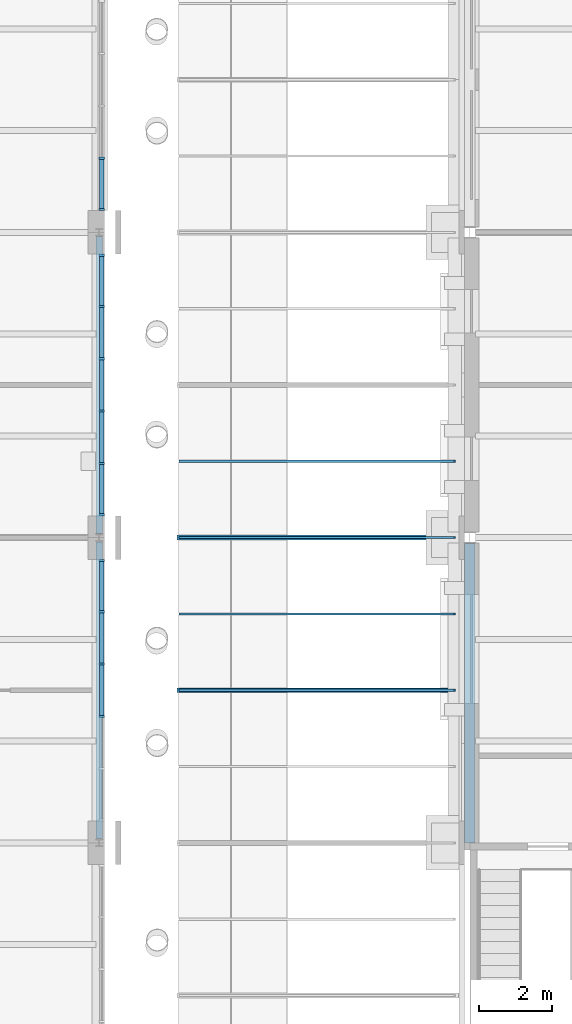
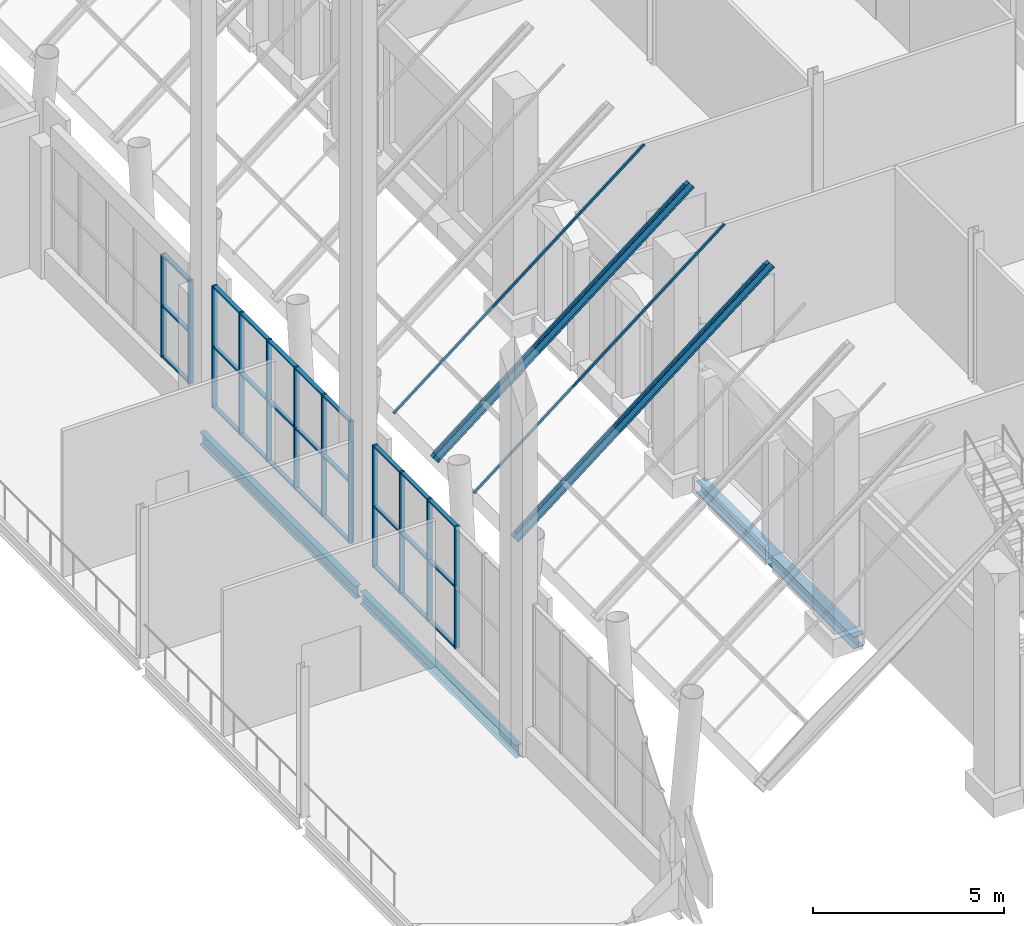
# One storey, part 29 of 76: 45 members, 3 beams, 3 elements without a shape of their own.
"""IFC4 building model written with IfcOpenShell, lengths in metres."""

from ifc_helpers import new_model, si_unit, direction, frame, origin, origin_2d, place, context, subcontext, project, spatial, rectangle, i_section, extrude, material, material_profile, profile_set, type_object, element, aggregate, save


model = new_model("IFC4")

# Units and contexts
model_context = context("Model", 3, precision=1e-05, world=origin(), true_north=direction((0.0, 1.0)))
body_context = subcontext(model_context, "Body", "Model", "MODEL_VIEW")
ifc_project = project(units=[si_unit("LENGTHUNIT", "METRE"), si_unit("AREAUNIT", "SQUARE_METRE"), si_unit("VOLUMEUNIT", "CUBIC_METRE"), si_unit("PLANEANGLEUNIT", "RADIAN"), si_unit("MASSUNIT", "GRAM", prefix="KILO")], contexts=[model_context])

# Site, building, storey
site_placement = place(None, origin())
site = spatial("IfcSite", under=ifc_project, at=site_placement, CompositionType="ELEMENT")
building_placement = place(site_placement, origin())
building = spatial("IfcBuilding", under=site, at=building_placement, Name="Sava Quay Ferry Terminal", CompositionType="ELEMENT")
storey_placement = place(building_placement, frame((0.0, 0.0, 6.0)))
storey = spatial("IfcBuildingStorey", under=building, at=storey_placement, Name="L01", CompositionType="ELEMENT", Elevation=6.0)

# Beams
ifc_material_1 = material(Name="Steel S355", Category="steel")
ifc_material_profile_1 = material_profile(ifc_material_1, i_section(OverallWidth=0.179931640625, OverallDepth=0.39990234375, WebThickness=0.008544921875, FlangeThickness=0.013427734375, at=origin_2d()), Name="IPE 400")
ifc_profile_set_1 = profile_set([ifc_material_profile_1], Name="Steel S355")
beam_type_1 = type_object("IfcBeamType", Name="Beam IPE 400", PredefinedType="BEAM", material=ifc_profile_set_1)
for number, where, z_axis, x_axis, name in (
    (1, (82.199951171875, 67.320068359375, -0.330078125), (0.0, 1.0, 0.0), (-1.0, 0.0, 0.0), "Girder L01"),
    (2, (82.199951171875, 75.719970703125, -0.330078125), (0.0, 1.0, 0.0), (-1.0, 0.0, 0.0), "Girder L01"),
):
    element("IfcBeam", number, at=place(storey_placement, frame(where, z_axis=z_axis, x_axis=x_axis)), inside=storey, type_object=beam_type_1, Name=name, PredefinedType="BEAM", context=body_context, shape_type="SweptSolid", body=[
        extrude(i_section(OverallWidth=0.179931640625, OverallDepth=0.39990234375, WebThickness=0.008544921875, FlangeThickness=0.013427734375, at=origin_2d()), origin(), (0.0, 0.0, 1.0), 8.159912109375),
    ])
ifc_material_2 = material(Name="Steel S355", Category="steel")
ifc_material_profile_2 = material_profile(ifc_material_2, i_section(OverallWidth=0.300048828125, OverallDepth=0.389892578125, WebThickness=0.010986328125, FlangeThickness=0.01904296875, at=origin_2d()), Name="HE 400 A")
ifc_profile_set_2 = profile_set([ifc_material_profile_2], Name="Steel S355")
beam_type_2 = type_object("IfcBeamType", Name="Girder HE 400 A", PredefinedType="BEAM", material=ifc_profile_set_2)
beam_placement = place(storey_placement, frame((92.39990234375, 67.199951171875, -0.324951171875), z_axis=(0.0, 1.0, 0.0), x_axis=(-1.0, 0.0, 0.0)))
element("IfcBeam", 3, at=beam_placement, inside=storey, type_object=beam_type_2, Name="Girder L01", PredefinedType="BEAM", context=body_context, shape_type="SweptSolid", body=[
    extrude(i_section(OverallWidth=0.300048828125, OverallDepth=0.389892578125, WebThickness=0.010986328125, FlangeThickness=0.01904296875, at=origin_2d()), origin(), (0.0, 0.0, 1.0), 8.239990234375),
])

# Members
ifc_material_3 = material(Name="Aluminium EN AW-6063 T6", Category="aluminium")
ifc_material_profile_3 = material_profile(ifc_material_3, rectangle(XDim=0.06005859375, YDim=0.06005859375, at=origin_2d()), Name="Bar 60 x 60")
ifc_profile_set_3 = profile_set([ifc_material_profile_3], Name="Aluminium EN AW-6063 T6")
member_type_1 = type_object("IfcMemberType", Name="Glazing bar 60x60", PredefinedType="USERDEFINED", material=ifc_profile_set_3)
for number, where, z_axis, x_axis, name in (
    (4, (84.413330078125, 77.699951171875, 3.39697265625), (0.78632361853, 0.0, 0.617814832245), (0.0, 1.0, 0.0), "Passage roof glazing bar GL15"),
    (5, (84.413330078125, 75.60009765625, 3.39697265625), (0.78632361853, 0.0, 0.617814832245), (0.0, 1.0, 0.0), "Passage roof glazing bar GL16"),
    (6, (84.413330078125, 73.5, 3.39697265625), (0.78632361853, 0.0, 0.617814832245), (0.0, 1.0, 0.0), "Passage roof glazing bar GL17"),
    (7, (84.413330078125, 71.39990234375, 3.39697265625), (0.78632361853, 0.0, 0.617814832245), (0.0, 1.0, 0.0), "Passage roof glazing bar GL18"),
):
    element("IfcMember", number, at=place(storey_placement, frame(where, z_axis=z_axis, x_axis=x_axis)), inside=storey, type_object=member_type_1, Name=name, ObjectType="GLAZING BAR", PredefinedType="USERDEFINED", context=body_context, shape_type="SweptSolid", body=[
        extrude(rectangle(XDim=0.06005859375, YDim=0.06005859375, at=origin_2d()), origin(), (0.0, 0.0, 1.0), 9.62744140625),
    ])

# Curtain wall, members
ifc_material_4 = material(Name="Aluminium and glass curtain wall, double low-e glazed", Category="aluminium")
curtain_wall_type = type_object("IfcCurtainWallType", Name="Curtain wall CW-F flank", PredefinedType="NOTDEFINED", material=ifc_material_4)
curtain_wall_1_placement = place(storey_placement, origin())
curtain_wall_1 = element("IfcCurtainWall", 8, at=curtain_wall_1_placement, inside=storey, type_object=curtain_wall_type, Name="Curtain wall D-E L01 bay 3", PredefinedType="NOTDEFINED")
ifc_material_5 = material(Name="Aluminium EN AW-6063 T6", Category="aluminium")
ifc_material_profile_4 = material_profile(ifc_material_5, rectangle(XDim=0.14990234375, YDim=0.06005859375, at=origin_2d()), Name="Mullion 60x150 aluminium")
ifc_profile_set_4 = profile_set([ifc_material_profile_4], Name="Aluminium EN AW-6063 T6")
member_type_2 = type_object("IfcMemberType", Name="Mullion 60x150 aluminium", PredefinedType="MULLION", material=ifc_profile_set_4)
member_1_placement = place(storey_placement, frame((82.27490234375, 70.679931640625, 0.89990234375), z_axis=(0.0, 0.0, 1.0), x_axis=(-1.0, 0.0, 0.0)))
member_1 = element("IfcMember", 9, at=member_1_placement, type_object=member_type_2, Name="CW45 mullion 3", PredefinedType="MULLION", context=body_context, shape_type="SweptSolid", body=[
    extrude(rectangle(XDim=0.14990234375, YDim=0.06005859375, at=origin_2d()), origin(), (0.0, 0.0, 1.0), 3.900146484375),
])
member_2_placement = place(storey_placement, frame((82.27490234375, 72.1201171875, 0.89990234375), z_axis=(0.0, 0.0, 1.0), x_axis=(-1.0, 0.0, 0.0)))
member_2 = element("IfcMember", 10, at=member_2_placement, type_object=member_type_2, Name="CW45 mullion 4", PredefinedType="MULLION", context=body_context, shape_type="SweptSolid", body=[
    extrude(rectangle(XDim=0.14990234375, YDim=0.06005859375, at=origin_2d()), origin(), (0.0, 0.0, 1.0), 3.900146484375),
])
member_3_placement = place(storey_placement, frame((82.27490234375, 73.56005859375, 0.89990234375), z_axis=(0.0, 0.0, 1.0), x_axis=(-1.0, 0.0, 0.0)))
member_3 = element("IfcMember", 11, at=member_3_placement, type_object=member_type_2, Name="CW45 mullion 5", PredefinedType="MULLION", context=body_context, shape_type="SweptSolid", body=[
    extrude(rectangle(XDim=0.14990234375, YDim=0.06005859375, at=origin_2d()), origin(), (0.0, 0.0, 1.0), 3.900146484375),
])
member_4_placement = place(storey_placement, frame((82.27490234375, 74.969970703125, 0.89990234375), z_axis=(0.0, 0.0, 1.0), x_axis=(-1.0, 0.0, 0.0)))
member_4 = element("IfcMember", 12, at=member_4_placement, type_object=member_type_2, Name="CW45 mullion 6", PredefinedType="MULLION", context=body_context, shape_type="SweptSolid", body=[
    extrude(rectangle(XDim=0.14990234375, YDim=0.06005859375, at=origin_2d()), origin(), (0.0, 0.0, 1.0), 3.900146484375),
])

curtain_wall_2_placement = place(storey_placement, origin())
curtain_wall_2 = element("IfcCurtainWall", 13, at=curtain_wall_2_placement, inside=storey, type_object=curtain_wall_type, Name="Curtain wall D-E L01 bay 4", PredefinedType="NOTDEFINED")
member_5_placement = place(storey_placement, frame((82.27490234375, 76.22998046875, 0.89990234375), z_axis=(0.0, 0.0, 1.0), x_axis=(-1.0, 0.0, 0.0)))
member_5 = element("IfcMember", 14, at=member_5_placement, type_object=member_type_2, Name="CW48 mullion 1", PredefinedType="MULLION", context=body_context, shape_type="SweptSolid", body=[
    extrude(rectangle(XDim=0.14990234375, YDim=0.06005859375, at=origin_2d()), origin(), (0.0, 0.0, 1.0), 3.900146484375),
])
member_6_placement = place(storey_placement, frame((82.27490234375, 77.639892578125, 0.89990234375), z_axis=(0.0, 0.0, 1.0), x_axis=(-1.0, 0.0, 0.0)))
member_6 = element("IfcMember", 15, at=member_6_placement, type_object=member_type_2, Name="CW48 mullion 2", PredefinedType="MULLION", context=body_context, shape_type="SweptSolid", body=[
    extrude(rectangle(XDim=0.14990234375, YDim=0.06005859375, at=origin_2d()), origin(), (0.0, 0.0, 1.0), 3.900146484375),
])
member_7_placement = place(storey_placement, frame((82.27490234375, 79.080078125, 0.89990234375), z_axis=(0.0, 0.0, 1.0), x_axis=(-1.0, 0.0, 0.0)))
member_7 = element("IfcMember", 16, at=member_7_placement, type_object=member_type_2, Name="CW48 mullion 3", PredefinedType="MULLION", context=body_context, shape_type="SweptSolid", body=[
    extrude(rectangle(XDim=0.14990234375, YDim=0.06005859375, at=origin_2d()), origin(), (0.0, 0.0, 1.0), 3.900146484375),
])
member_8_placement = place(storey_placement, frame((82.27490234375, 80.52001953125, 0.89990234375), z_axis=(0.0, 0.0, 1.0), x_axis=(-1.0, 0.0, 0.0)))
member_8 = element("IfcMember", 17, at=member_8_placement, type_object=member_type_2, Name="CW48 mullion 4", PredefinedType="MULLION", context=body_context, shape_type="SweptSolid", body=[
    extrude(rectangle(XDim=0.14990234375, YDim=0.06005859375, at=origin_2d()), origin(), (0.0, 0.0, 1.0), 3.900146484375),
])
member_9_placement = place(storey_placement, frame((82.27490234375, 81.9599609375, 0.89990234375), z_axis=(0.0, 0.0, 1.0), x_axis=(-1.0, 0.0, 0.0)))
member_9 = element("IfcMember", 18, at=member_9_placement, type_object=member_type_2, Name="CW48 mullion 5", PredefinedType="MULLION", context=body_context, shape_type="SweptSolid", body=[
    extrude(rectangle(XDim=0.14990234375, YDim=0.06005859375, at=origin_2d()), origin(), (0.0, 0.0, 1.0), 3.900146484375),
])
member_10_placement = place(storey_placement, frame((82.27490234375, 83.3701171875, 0.89990234375), z_axis=(0.0, 0.0, 1.0), x_axis=(-1.0, 0.0, 0.0)))
member_10 = element("IfcMember", 19, at=member_10_placement, type_object=member_type_2, Name="CW48 mullion 6", PredefinedType="MULLION", context=body_context, shape_type="SweptSolid", body=[
    extrude(rectangle(XDim=0.14990234375, YDim=0.06005859375, at=origin_2d()), origin(), (0.0, 0.0, 1.0), 3.900146484375),
])

curtain_wall_3_placement = place(storey_placement, origin())
curtain_wall_3 = element("IfcCurtainWall", 20, at=curtain_wall_3_placement, inside=storey, type_object=curtain_wall_type, Name="Curtain wall D-E L01 bay 5", PredefinedType="NOTDEFINED")
member_11_placement = place(storey_placement, frame((82.27490234375, 84.6298828125, 0.89990234375), z_axis=(0.0, 0.0, 1.0), x_axis=(-1.0, 0.0, 0.0)))
member_11 = element("IfcMember", 21, at=member_11_placement, type_object=member_type_2, Name="CW52 mullion 1", PredefinedType="MULLION", context=body_context, shape_type="SweptSolid", body=[
    extrude(rectangle(XDim=0.14990234375, YDim=0.06005859375, at=origin_2d()), origin(), (0.0, 0.0, 1.0), 3.300048828125),
])
member_12_placement = place(storey_placement, frame((82.27490234375, 86.0400390625, 0.89990234375), z_axis=(0.0, 0.0, 1.0), x_axis=(-1.0, 0.0, 0.0)))
member_12 = element("IfcMember", 22, at=member_12_placement, type_object=member_type_2, Name="CW52 mullion 2", PredefinedType="MULLION", context=body_context, shape_type="SweptSolid", body=[
    extrude(rectangle(XDim=0.14990234375, YDim=0.06005859375, at=origin_2d()), origin(), (0.0, 0.0, 1.0), 3.300048828125),
])

# Members
ifc_material_6 = material(Name="Steel S355", Category="steel")
ifc_material_profile_5 = material_profile(ifc_material_6, i_section(OverallWidth=0.135009765625, OverallDepth=0.27001953125, WebThickness=0.006591796875, FlangeThickness=0.01025390625, at=origin_2d()), Name="IPE 270")
ifc_profile_set_5 = profile_set([ifc_material_profile_5], Name="Steel S355")
member_type_3 = type_object("IfcMemberType", Name="Roof rafter IPE 270", PredefinedType="RAFTER", material=ifc_profile_set_5)
for number, where, z_axis, x_axis, name in (
    (23, (84.425537109375, 75.60009765625, 3.196533203125), (0.786314900633, 0.0, 0.617825927784), (0.0, 1.0, 0.0), "Passage roof rafter RA8"),
    (24, (84.425537109375, 71.39990234375, 3.196533203125), (0.786314900633, 0.0, 0.617825927784), (0.0, 1.0, 0.0), "Passage roof rafter RA9"),
):
    element("IfcMember", number, at=place(storey_placement, frame(where, z_axis=z_axis, x_axis=x_axis)), inside=storey, type_object=member_type_3, Name=name, PredefinedType="RAFTER", context=body_context, shape_type="SweptSolid", body=[
        extrude(i_section(OverallWidth=0.135009765625, OverallDepth=0.27001953125, WebThickness=0.006591796875, FlangeThickness=0.01025390625, at=origin_2d()), origin(), (0.0, 0.0, 1.0), 9.856201171875),
    ])

# Member
ifc_material_7 = material(Name="Aluminium EN AW-6063 T6", Category="aluminium")
ifc_material_profile_6 = material_profile(ifc_material_7, rectangle(XDim=0.1201171875, YDim=0.050048828125, at=origin_2d()), Name="Transom 50x120 aluminium")
ifc_profile_set_6 = profile_set([ifc_material_profile_6], Name="Aluminium EN AW-6063 T6")
member_type_4 = type_object("IfcMemberType", Name="Transom 50x120 aluminium", PredefinedType="USERDEFINED", material=ifc_profile_set_6)
member_13_placement = place(storey_placement, frame((82.27490234375, 70.7099609375, 0.925048828125), z_axis=(0.0, 1.0, 0.0), x_axis=(-1.0, 0.0, 0.0)))
member_13 = element("IfcMember", 25, at=member_13_placement, type_object=member_type_4, Name="CW45 transom 3.1", ObjectType="TRANSOM", PredefinedType="USERDEFINED", context=body_context, shape_type="SweptSolid", body=[
    extrude(rectangle(XDim=0.1201171875, YDim=0.050048828125, at=origin_2d()), origin(), (0.0, 0.0, 1.0), 1.380126953125),
])

member_14_placement = place(storey_placement, frame((82.27490234375, 70.7099609375, 2.85009765625), z_axis=(0.0, 1.0, 0.0), x_axis=(-1.0, 0.0, 0.0)))
member_14 = element("IfcMember", 26, at=member_14_placement, type_object=member_type_4, Name="CW45 transom 3.2", ObjectType="TRANSOM", PredefinedType="USERDEFINED", context=body_context, shape_type="SweptSolid", body=[
    extrude(rectangle(XDim=0.1201171875, YDim=0.050048828125, at=origin_2d()), origin(), (0.0, 0.0, 1.0), 1.380126953125),
])

member_15_placement = place(storey_placement, frame((82.27490234375, 70.7099609375, 4.77490234375), z_axis=(0.0, 1.0, 0.0), x_axis=(-1.0, 0.0, 0.0)))
member_15 = element("IfcMember", 27, at=member_15_placement, type_object=member_type_4, Name="CW45 transom 3.3", ObjectType="TRANSOM", PredefinedType="USERDEFINED", context=body_context, shape_type="SweptSolid", body=[
    extrude(rectangle(XDim=0.1201171875, YDim=0.050048828125, at=origin_2d()), origin(), (0.0, 0.0, 1.0), 1.380126953125),
])

member_16_placement = place(storey_placement, frame((82.27490234375, 72.14990234375, 0.925048828125), z_axis=(0.0, 1.0, 0.0), x_axis=(-1.0, 0.0, 0.0)))
member_16 = element("IfcMember", 28, at=member_16_placement, type_object=member_type_4, Name="CW45 transom 4.1", ObjectType="TRANSOM", PredefinedType="USERDEFINED", context=body_context, shape_type="SweptSolid", body=[
    extrude(rectangle(XDim=0.1201171875, YDim=0.050048828125, at=origin_2d()), origin(), (0.0, 0.0, 1.0), 1.380126953125),
])

member_17_placement = place(storey_placement, frame((82.27490234375, 72.14990234375, 2.85009765625), z_axis=(0.0, 1.0, 0.0), x_axis=(-1.0, 0.0, 0.0)))
member_17 = element("IfcMember", 29, at=member_17_placement, type_object=member_type_4, Name="CW45 transom 4.2", ObjectType="TRANSOM", PredefinedType="USERDEFINED", context=body_context, shape_type="SweptSolid", body=[
    extrude(rectangle(XDim=0.1201171875, YDim=0.050048828125, at=origin_2d()), origin(), (0.0, 0.0, 1.0), 1.380126953125),
])

member_18_placement = place(storey_placement, frame((82.27490234375, 72.14990234375, 4.77490234375), z_axis=(0.0, 1.0, 0.0), x_axis=(-1.0, 0.0, 0.0)))
member_18 = element("IfcMember", 30, at=member_18_placement, type_object=member_type_4, Name="CW45 transom 4.3", ObjectType="TRANSOM", PredefinedType="USERDEFINED", context=body_context, shape_type="SweptSolid", body=[
    extrude(rectangle(XDim=0.1201171875, YDim=0.050048828125, at=origin_2d()), origin(), (0.0, 0.0, 1.0), 1.380126953125),
])

member_19_placement = place(storey_placement, frame((82.27490234375, 73.590087890625, 0.925048828125), z_axis=(0.0, 1.0, 0.0), x_axis=(-1.0, 0.0, 0.0)))
member_19 = element("IfcMember", 31, at=member_19_placement, type_object=member_type_4, Name="CW45 transom 5.1", ObjectType="TRANSOM", PredefinedType="USERDEFINED", context=body_context, shape_type="SweptSolid", body=[
    extrude(rectangle(XDim=0.1201171875, YDim=0.050048828125, at=origin_2d()), origin(), (0.0, 0.0, 1.0), 1.349853515625),
])

member_20_placement = place(storey_placement, frame((82.27490234375, 73.590087890625, 2.85009765625), z_axis=(0.0, 1.0, 0.0), x_axis=(-1.0, 0.0, 0.0)))
member_20 = element("IfcMember", 32, at=member_20_placement, type_object=member_type_4, Name="CW45 transom 5.2", ObjectType="TRANSOM", PredefinedType="USERDEFINED", context=body_context, shape_type="SweptSolid", body=[
    extrude(rectangle(XDim=0.1201171875, YDim=0.050048828125, at=origin_2d()), origin(), (0.0, 0.0, 1.0), 1.349853515625),
])

member_21_placement = place(storey_placement, frame((82.27490234375, 73.590087890625, 4.77490234375), z_axis=(0.0, 1.0, 0.0), x_axis=(-1.0, 0.0, 0.0)))
member_21 = element("IfcMember", 33, at=member_21_placement, type_object=member_type_4, Name="CW45 transom 5.3", ObjectType="TRANSOM", PredefinedType="USERDEFINED", context=body_context, shape_type="SweptSolid", body=[
    extrude(rectangle(XDim=0.1201171875, YDim=0.050048828125, at=origin_2d()), origin(), (0.0, 0.0, 1.0), 1.349853515625),
])

aggregate(curtain_wall_1, [member_1, member_2, member_3, member_4, member_13, member_14, member_15, member_16, member_17, member_18, member_19, member_20, member_21])

member_22_placement = place(storey_placement, frame((82.27490234375, 76.260009765625, 0.925048828125), z_axis=(0.0, 1.0, 0.0), x_axis=(-1.0, 0.0, 0.0)))
member_22 = element("IfcMember", 34, at=member_22_placement, type_object=member_type_4, Name="CW48 transom 1.1", ObjectType="TRANSOM", PredefinedType="USERDEFINED", context=body_context, shape_type="SweptSolid", body=[
    extrude(rectangle(XDim=0.1201171875, YDim=0.050048828125, at=origin_2d()), origin(), (0.0, 0.0, 1.0), 1.35009765625),
])

member_23_placement = place(storey_placement, frame((82.27490234375, 76.260009765625, 2.85009765625), z_axis=(0.0, 1.0, 0.0), x_axis=(-1.0, 0.0, 0.0)))
member_23 = element("IfcMember", 35, at=member_23_placement, type_object=member_type_4, Name="CW48 transom 1.2", ObjectType="TRANSOM", PredefinedType="USERDEFINED", context=body_context, shape_type="SweptSolid", body=[
    extrude(rectangle(XDim=0.1201171875, YDim=0.050048828125, at=origin_2d()), origin(), (0.0, 0.0, 1.0), 1.35009765625),
])

member_24_placement = place(storey_placement, frame((82.27490234375, 76.260009765625, 4.77490234375), z_axis=(0.0, 1.0, 0.0), x_axis=(-1.0, 0.0, 0.0)))
member_24 = element("IfcMember", 36, at=member_24_placement, type_object=member_type_4, Name="CW48 transom 1.3", ObjectType="TRANSOM", PredefinedType="USERDEFINED", context=body_context, shape_type="SweptSolid", body=[
    extrude(rectangle(XDim=0.1201171875, YDim=0.050048828125, at=origin_2d()), origin(), (0.0, 0.0, 1.0), 1.35009765625),
])

member_25_placement = place(storey_placement, frame((82.27490234375, 77.669921875, 0.925048828125), z_axis=(0.0, 1.0, 0.0), x_axis=(-1.0, 0.0, 0.0)))
member_25 = element("IfcMember", 37, at=member_25_placement, type_object=member_type_4, Name="CW48 transom 2.1", ObjectType="TRANSOM", PredefinedType="USERDEFINED", context=body_context, shape_type="SweptSolid", body=[
    extrude(rectangle(XDim=0.1201171875, YDim=0.050048828125, at=origin_2d()), origin(), (0.0, 0.0, 1.0), 1.380126953125),
])

member_26_placement = place(storey_placement, frame((82.27490234375, 77.669921875, 2.85009765625), z_axis=(0.0, 1.0, 0.0), x_axis=(-1.0, 0.0, 0.0)))
member_26 = element("IfcMember", 38, at=member_26_placement, type_object=member_type_4, Name="CW48 transom 2.2", ObjectType="TRANSOM", PredefinedType="USERDEFINED", context=body_context, shape_type="SweptSolid", body=[
    extrude(rectangle(XDim=0.1201171875, YDim=0.050048828125, at=origin_2d()), origin(), (0.0, 0.0, 1.0), 1.380126953125),
])

member_27_placement = place(storey_placement, frame((82.27490234375, 77.669921875, 4.77490234375), z_axis=(0.0, 1.0, 0.0), x_axis=(-1.0, 0.0, 0.0)))
member_27 = element("IfcMember", 39, at=member_27_placement, type_object=member_type_4, Name="CW48 transom 2.3", ObjectType="TRANSOM", PredefinedType="USERDEFINED", context=body_context, shape_type="SweptSolid", body=[
    extrude(rectangle(XDim=0.1201171875, YDim=0.050048828125, at=origin_2d()), origin(), (0.0, 0.0, 1.0), 1.380126953125),
])

member_28_placement = place(storey_placement, frame((82.27490234375, 79.110107421875, 0.925048828125), z_axis=(0.0, 1.0, 0.0), x_axis=(-1.0, 0.0, 0.0)))
member_28 = element("IfcMember", 40, at=member_28_placement, type_object=member_type_4, Name="CW48 transom 3.1", ObjectType="TRANSOM", PredefinedType="USERDEFINED", context=body_context, shape_type="SweptSolid", body=[
    extrude(rectangle(XDim=0.1201171875, YDim=0.050048828125, at=origin_2d()), origin(), (0.0, 0.0, 1.0), 1.3798828125),
])

member_29_placement = place(storey_placement, frame((82.27490234375, 79.110107421875, 2.85009765625), z_axis=(0.0, 1.0, 0.0), x_axis=(-1.0, 0.0, 0.0)))
member_29 = element("IfcMember", 41, at=member_29_placement, type_object=member_type_4, Name="CW48 transom 3.2", ObjectType="TRANSOM", PredefinedType="USERDEFINED", context=body_context, shape_type="SweptSolid", body=[
    extrude(rectangle(XDim=0.1201171875, YDim=0.050048828125, at=origin_2d()), origin(), (0.0, 0.0, 1.0), 1.3798828125),
])

member_30_placement = place(storey_placement, frame((82.27490234375, 79.110107421875, 4.77490234375), z_axis=(0.0, 1.0, 0.0), x_axis=(-1.0, 0.0, 0.0)))
member_30 = element("IfcMember", 42, at=member_30_placement, type_object=member_type_4, Name="CW48 transom 3.3", ObjectType="TRANSOM", PredefinedType="USERDEFINED", context=body_context, shape_type="SweptSolid", body=[
    extrude(rectangle(XDim=0.1201171875, YDim=0.050048828125, at=origin_2d()), origin(), (0.0, 0.0, 1.0), 1.3798828125),
])

member_31_placement = place(storey_placement, frame((82.27490234375, 80.550048828125, 0.925048828125), z_axis=(0.0, 1.0, 0.0), x_axis=(-1.0, 0.0, 0.0)))
member_31 = element("IfcMember", 43, at=member_31_placement, type_object=member_type_4, Name="CW48 transom 4.1", ObjectType="TRANSOM", PredefinedType="USERDEFINED", context=body_context, shape_type="SweptSolid", body=[
    extrude(rectangle(XDim=0.1201171875, YDim=0.050048828125, at=origin_2d()), origin(), (0.0, 0.0, 1.0), 1.3798828125),
])

member_32_placement = place(storey_placement, frame((82.27490234375, 80.550048828125, 2.85009765625), z_axis=(0.0, 1.0, 0.0), x_axis=(-1.0, 0.0, 0.0)))
member_32 = element("IfcMember", 44, at=member_32_placement, type_object=member_type_4, Name="CW48 transom 4.2", ObjectType="TRANSOM", PredefinedType="USERDEFINED", context=body_context, shape_type="SweptSolid", body=[
    extrude(rectangle(XDim=0.1201171875, YDim=0.050048828125, at=origin_2d()), origin(), (0.0, 0.0, 1.0), 1.3798828125),
])

member_33_placement = place(storey_placement, frame((82.27490234375, 80.550048828125, 4.77490234375), z_axis=(0.0, 1.0, 0.0), x_axis=(-1.0, 0.0, 0.0)))
member_33 = element("IfcMember", 45, at=member_33_placement, type_object=member_type_4, Name="CW48 transom 4.3", ObjectType="TRANSOM", PredefinedType="USERDEFINED", context=body_context, shape_type="SweptSolid", body=[
    extrude(rectangle(XDim=0.1201171875, YDim=0.050048828125, at=origin_2d()), origin(), (0.0, 0.0, 1.0), 1.3798828125),
])

member_34_placement = place(storey_placement, frame((82.27490234375, 81.989990234375, 0.925048828125), z_axis=(0.0, 1.0, 0.0), x_axis=(-1.0, 0.0, 0.0)))
member_34 = element("IfcMember", 46, at=member_34_placement, type_object=member_type_4, Name="CW48 transom 5.1", ObjectType="TRANSOM", PredefinedType="USERDEFINED", context=body_context, shape_type="SweptSolid", body=[
    extrude(rectangle(XDim=0.1201171875, YDim=0.050048828125, at=origin_2d()), origin(), (0.0, 0.0, 1.0), 1.35009765625),
])

member_35_placement = place(storey_placement, frame((82.27490234375, 81.989990234375, 2.85009765625), z_axis=(0.0, 1.0, 0.0), x_axis=(-1.0, 0.0, 0.0)))
member_35 = element("IfcMember", 47, at=member_35_placement, type_object=member_type_4, Name="CW48 transom 5.2", ObjectType="TRANSOM", PredefinedType="USERDEFINED", context=body_context, shape_type="SweptSolid", body=[
    extrude(rectangle(XDim=0.1201171875, YDim=0.050048828125, at=origin_2d()), origin(), (0.0, 0.0, 1.0), 1.35009765625),
])

member_36_placement = place(storey_placement, frame((82.27490234375, 81.989990234375, 4.77490234375), z_axis=(0.0, 1.0, 0.0), x_axis=(-1.0, 0.0, 0.0)))
member_36 = element("IfcMember", 48, at=member_36_placement, type_object=member_type_4, Name="CW48 transom 5.3", ObjectType="TRANSOM", PredefinedType="USERDEFINED", context=body_context, shape_type="SweptSolid", body=[
    extrude(rectangle(XDim=0.1201171875, YDim=0.050048828125, at=origin_2d()), origin(), (0.0, 0.0, 1.0), 1.35009765625),
])

aggregate(curtain_wall_2, [member_5, member_6, member_7, member_8, member_9, member_10, member_22, member_23, member_24, member_25, member_26, member_27, member_28, member_29, member_30, member_31, member_32, member_33, member_34, member_35, member_36])

member_37_placement = place(storey_placement, frame((82.27490234375, 84.659912109375, 0.925048828125), z_axis=(0.0, 1.0, 0.0), x_axis=(-1.0, 0.0, 0.0)))
member_37 = element("IfcMember", 49, at=member_37_placement, type_object=member_type_4, Name="CW52 transom 1.1", ObjectType="TRANSOM", PredefinedType="USERDEFINED", context=body_context, shape_type="SweptSolid", body=[
    extrude(rectangle(XDim=0.1201171875, YDim=0.050048828125, at=origin_2d()), origin(), (0.0, 0.0, 1.0), 1.35009765625),
])

member_38_placement = place(storey_placement, frame((82.27490234375, 84.659912109375, 2.550048828125), z_axis=(0.0, 1.0, 0.0), x_axis=(-1.0, 0.0, 0.0)))
member_38 = element("IfcMember", 50, at=member_38_placement, type_object=member_type_4, Name="CW52 transom 1.2", ObjectType="TRANSOM", PredefinedType="USERDEFINED", context=body_context, shape_type="SweptSolid", body=[
    extrude(rectangle(XDim=0.1201171875, YDim=0.050048828125, at=origin_2d()), origin(), (0.0, 0.0, 1.0), 1.35009765625),
])

member_39_placement = place(storey_placement, frame((82.27490234375, 84.659912109375, 4.175048828125), z_axis=(0.0, 1.0, 0.0), x_axis=(-1.0, 0.0, 0.0)))
member_39 = element("IfcMember", 51, at=member_39_placement, type_object=member_type_4, Name="CW52 transom 1.3", ObjectType="TRANSOM", PredefinedType="USERDEFINED", context=body_context, shape_type="SweptSolid", body=[
    extrude(rectangle(XDim=0.1201171875, YDim=0.050048828125, at=origin_2d()), origin(), (0.0, 0.0, 1.0), 1.35009765625),
])

aggregate(curtain_wall_3, [member_11, member_12, member_37, member_38, member_39])

save(model, "model.ifc")
